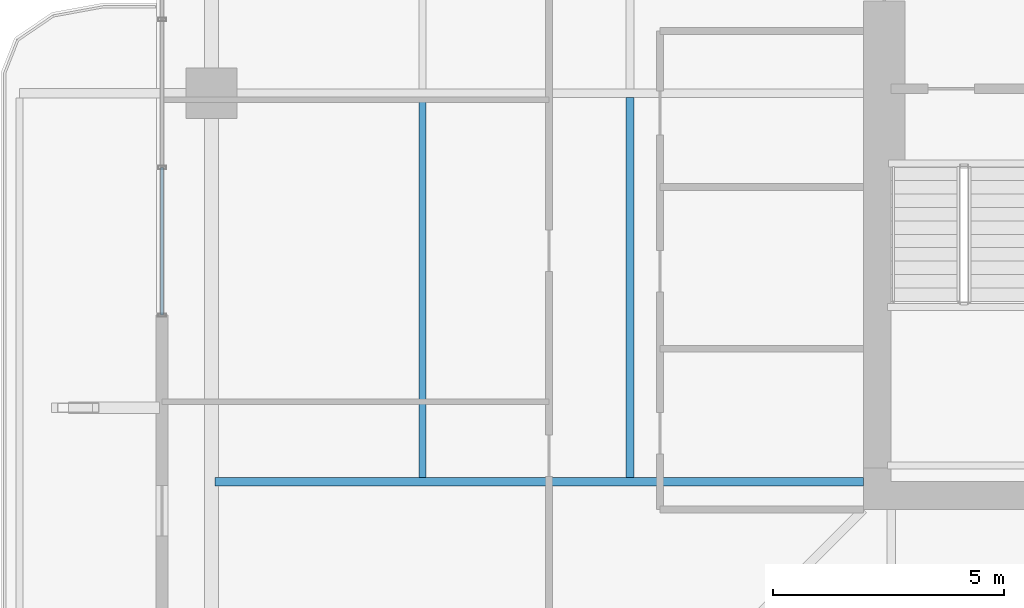
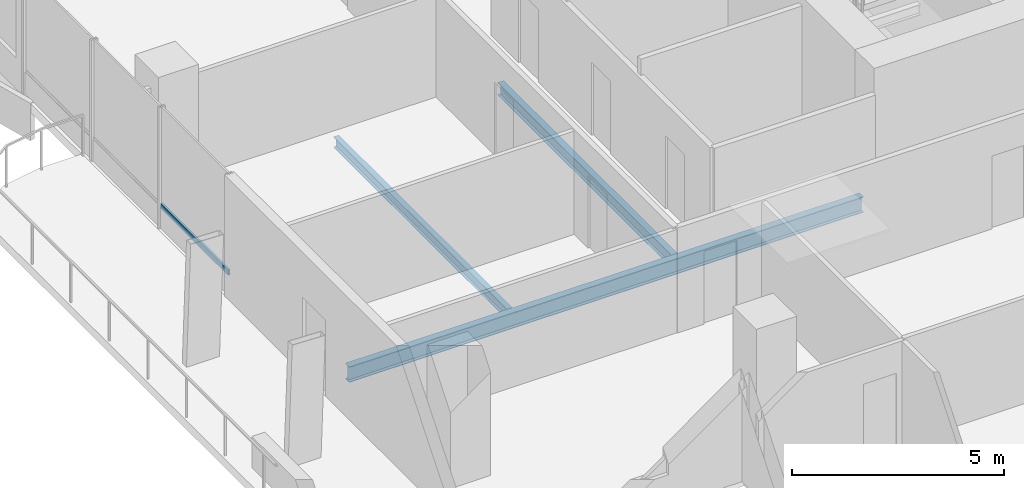
# One storey, part 5 of 25: 3 beams, 1 member, 1 element without a shape of its own.
"""IFC4 building model written with IfcOpenShell, lengths in metres."""

from ifc_helpers import new_model, si_unit, direction, frame, origin, origin_2d, place, context, subcontext, project, spatial, hollow_rectangle, i_section, extrude, material, layer, layer_set, material_profile, profile_set, type_object, element, aggregate, save


model = new_model("IFC4")

# Units and contexts
model_context = context("Model", 3, precision=1e-05, world=origin(), true_north=direction((0.0, 1.0)))
body_context = subcontext(model_context, "Body", "Model", "MODEL_VIEW")
ifc_project = project(units=[si_unit("LENGTHUNIT", "METRE"), si_unit("AREAUNIT", "SQUARE_METRE"), si_unit("VOLUMEUNIT", "CUBIC_METRE"), si_unit("PLANEANGLEUNIT", "RADIAN"), si_unit("MASSUNIT", "GRAM", prefix="KILO")], contexts=[model_context])

# Site, building, storey
site_placement = place(None, origin())
site = spatial("IfcSite", under=ifc_project, at=site_placement, CompositionType="ELEMENT")
building_placement = place(site_placement, origin())
building = spatial("IfcBuilding", under=site, at=building_placement, Name="Belovzor Exchange Tower", CompositionType="ELEMENT")
storey_placement = place(building_placement, frame((0.0, 0.0, 142.050048828125)))
storey = spatial("IfcBuildingStorey", under=building, at=storey_placement, Name="L34", CompositionType="ELEMENT", Elevation=142.050048828125)

# Beams
ifc_material_1 = material(Name="Steel S355", Category="steel")
ifc_material_profile_1 = material_profile(ifc_material_1, i_section(OverallWidth=0.169921875, OverallDepth=0.360107421875, WebThickness=0.008056640625, FlangeThickness=0.0126953125, at=origin_2d()))
ifc_profile_set_1 = profile_set([ifc_material_profile_1], Name="Steel S355")
beam_type_1 = type_object("IfcBeamType", Name="Secondary Infill Floor Joist IPE 360", PredefinedType="BEAM", material=ifc_profile_set_1)
beam_1_placement = place(storey_placement, frame((14.7509765625, 20.4951171875, -0.43505859375), z_axis=(0.0, 1.0, 0.0), x_axis=(-1.0, 0.0, 0.0)))
element("IfcBeam", 1, at=beam_1_placement, inside=storey, type_object=beam_type_1, Name="FJ-360 Secondary Infill Floor Joist IPE 360", PredefinedType="BEAM", context=body_context, shape_type="SweptSolid", body=[
    extrude(i_section(OverallWidth=0.169921875, OverallDepth=0.360107421875, WebThickness=0.008056640625, FlangeThickness=0.0126953125, at=origin_2d()), origin(), (0.0, 0.0, 1.0), 8.2099609375),
])
ifc_material_2 = material(Name="Steel S355", Category="steel")
ifc_material_profile_2 = material_profile(ifc_material_2, i_section(OverallWidth=0.14990234375, OverallDepth=0.300048828125, WebThickness=0.007080078125, FlangeThickness=0.0107421875, at=origin_2d()))
ifc_profile_set_2 = profile_set([ifc_material_profile_2], Name="Steel S355")
beam_type_2 = type_object("IfcBeamType", Name="Secondary Trim Floor Joist IPE 300", PredefinedType="BEAM", material=ifc_profile_set_2)
beam_2_placement = place(storey_placement, frame((10.262939453125, 20.4951171875, -0.405029296875), z_axis=(0.0, 1.0, 0.0), x_axis=(-1.0, 0.0, 0.0)))
element("IfcBeam", 2, at=beam_2_placement, inside=storey, type_object=beam_type_2, Name="FJ-300 Secondary Trim Floor Joist IPE 300", PredefinedType="BEAM", context=body_context, shape_type="SweptSolid", body=[
    extrude(i_section(OverallWidth=0.14990234375, OverallDepth=0.300048828125, WebThickness=0.007080078125, FlangeThickness=0.0107421875, at=origin_2d()), origin(), (0.0, 0.0, 1.0), 8.2099609375),
])

# Curtain wall, member
ifc_material_3 = material(Name="Anodised Aluminium Framing", Category="aluminium")
ifc_layer = layer(ifc_material_3, 0.179931640625)
ifc_layer_set = layer_set([ifc_layer], Name="Anodised Aluminium Framing")
curtain_wall_type = type_object("IfcCurtainWallType", Name="Recessed Loggia Low-Iron Triple-Glazed Curtain Wall", PredefinedType="NOTDEFINED", material=ifc_layer_set)
curtain_wall_placement = place(storey_placement, origin())
curtain_wall = element("IfcCurtainWall", 3, at=curtain_wall_placement, inside=storey, type_object=curtain_wall_type, Name="CW3 Recessed Loggia Low-Iron Triple-Glazed Curtain Wall L34", PredefinedType="NOTDEFINED")
ifc_material_4 = material(Name="Steel S355", Category="steel")
ifc_material_profile_3 = material_profile(ifc_material_4, hollow_rectangle(XDim=0.06005859375, YDim=0.14990234375, WallThickness=0.00390625, at=origin_2d()))
ifc_profile_set_3 = profile_set([ifc_material_profile_3], Name="Steel S355")
member_type = type_object("IfcMemberType", Name="Thermally Broken Curtain Wall Transom 150x60", PredefinedType="USERDEFINED", material=ifc_profile_set_3)
member_placement = place(storey_placement, frame((4.6298828125, 24.008056640625, 0.62890625), z_axis=(0.0, 1.0, 0.0), x_axis=(-1.0, 0.0, 0.0)))
member = element("IfcMember", 4, at=member_placement, type_object=member_type, Name="CW-T150 Curtain Wall Transom 1", ObjectType="TRANSOM", PredefinedType="USERDEFINED", context=body_context, shape_type="SweptSolid", body=[
    extrude(hollow_rectangle(XDim=0.06005859375, YDim=0.14990234375, WallThickness=0.00390625, at=origin_2d()), origin(), (0.0, 0.0, 1.0), 3.183837890625),
])
aggregate(curtain_wall, [member])

# Beam
ifc_material_5 = material(Name="Steel S355", Category="steel")
ifc_material_profile_4 = material_profile(ifc_material_5, i_section(OverallWidth=0.18994140625, OverallDepth=0.449951171875, WebThickness=0.009521484375, FlangeThickness=0.0146484375, at=origin_2d()))
ifc_profile_set_4 = profile_set([ifc_material_profile_4], Name="Steel S355")
beam_type_3 = type_object("IfcBeamType", Name="Zone 2-4 Radial Composite Floor Beam IPE 450", PredefinedType="BEAM", material=ifc_profile_set_4)
beam_3_placement = place(storey_placement, frame((19.800048828125, 20.39990234375, -0.47998046875), z_axis=(-1.0, 0.0, 0.0), x_axis=(0.0, -1.0, 0.0)))
element("IfcBeam", 5, at=beam_3_placement, inside=storey, type_object=beam_type_3, Name="FB-450 Zone 2-4 Radial Composite Floor Beam IPE 450", PredefinedType="BEAM", context=body_context, shape_type="SweptSolid", body=[
    extrude(i_section(OverallWidth=0.18994140625, OverallDepth=0.449951171875, WebThickness=0.009521484375, FlangeThickness=0.0146484375, at=origin_2d()), origin(), (0.0, 0.0, 1.0), 14.025146484375),
])

save(model, "model.ifc")
